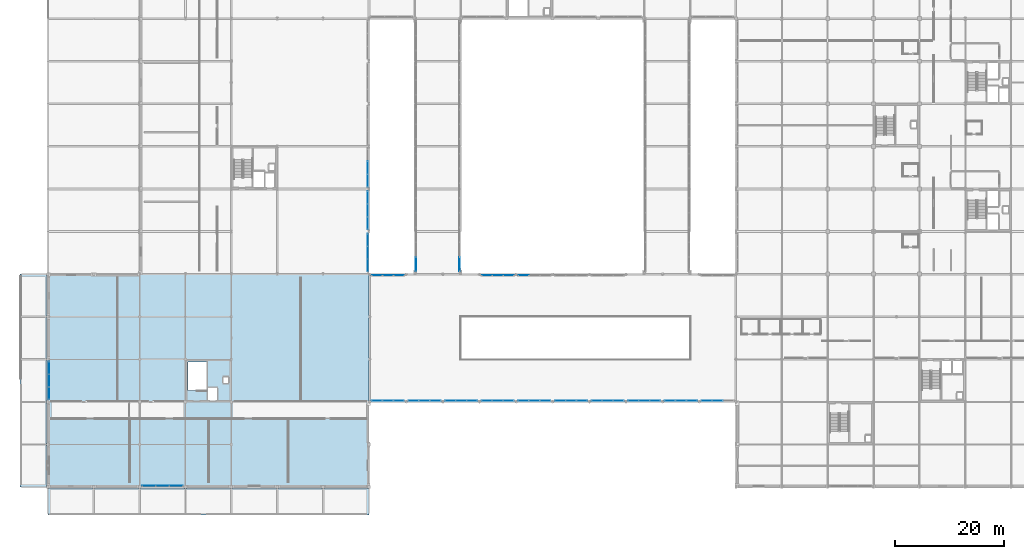
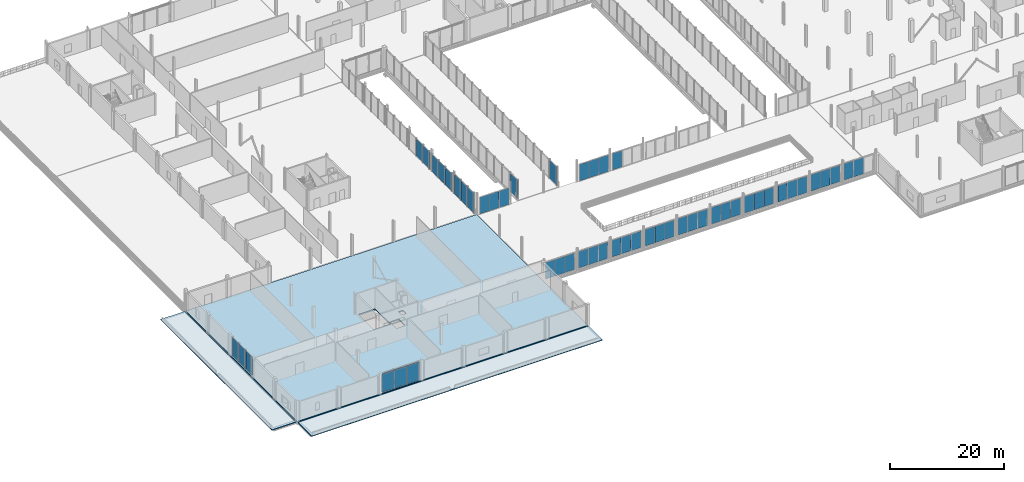
# One storey, part 61 of 98: 52 plates, 3 slabs, 20 elements without a shape of their own.
"""IFC4 building model written with IfcOpenShell, lengths in metres."""

from ifc_helpers import new_model, si_unit, direction, frame, origin, origin_2d, place, context, subcontext, project, spatial, polyline, rectangle, outline, extrude, material, layer, layer_set, type_object, element, aggregate, save


model = new_model("IFC4")

# Units and contexts
model_context = context("Model", 3, precision=1e-05, world=origin(), true_north=direction((0.0, 1.0)))
body_context = subcontext(model_context, "Body", "Model", "MODEL_VIEW")
ifc_project = project(units=[si_unit("LENGTHUNIT", "METRE"), si_unit("AREAUNIT", "SQUARE_METRE"), si_unit("VOLUMEUNIT", "CUBIC_METRE"), si_unit("PLANEANGLEUNIT", "RADIAN"), si_unit("MASSUNIT", "GRAM", prefix="KILO")], contexts=[model_context])

# Site, building, storey
site_placement = place(None, origin())
site = spatial("IfcSite", under=ifc_project, at=site_placement, CompositionType="ELEMENT")
building_placement = place(site_placement, origin())
building = spatial("IfcBuilding", under=site, at=building_placement, Name="Nabrawat Pavilion Hospital", CompositionType="ELEMENT")
storey_placement = place(building_placement, frame((0.0, 0.0, 10.199951171875)))
storey = spatial("IfcBuildingStorey", under=building, at=storey_placement, Name="L02", CompositionType="ELEMENT", Elevation=10.199951171875)

# Slabs
ifc_material_1 = material(Name="Precast concrete C40/50", Category="concrete")
ifc_layer_1 = layer(ifc_material_1, 0.14990234375, Name="Precast concrete C40/50")
ifc_layer_set_1 = layer_set([ifc_layer_1], Name="Precast concrete C40/50")
slab_type_1 = type_object("IfcSlabType", Name="Canopy and Colonnade Soffit Roof Slab 150", PredefinedType="ROOF", material=ifc_layer_set_1)
slab_1_placement = place(storey_placement, frame((0.0, 0.0, -0.14990234375)))
element("IfcSlab", 1, at=slab_1_placement, inside=storey, type_object=slab_type_1, Name="South Colonnade Precast Roof Slab", PredefinedType="ROOF", context=body_context, shape_type="SweptSolid", body=[
    extrude(outline(polyline([(58.780029296875, -5.10009765625), (58.780029296875, -0.25), (0.0, -0.25), (0.0, -5.10009765625), (58.780029296875, -5.10009765625)])), origin(), (0.0, 0.0, 1.0), 0.14990234375),
])
slab_2_placement = place(storey_placement, frame((0.0, 0.0, -0.14990234375)))
element("IfcSlab", 2, at=slab_2_placement, inside=storey, type_object=slab_type_1, Name="West Ambulance Drive-Through Canopy Roof Slab", PredefinedType="ROOF", context=body_context, shape_type="SweptSolid", body=[
    extrude(outline(polyline([(-0.25, 0.0), (-0.25, 38.97998046875), (-5.10009765625, 38.97998046875), (-5.10009765625, 0.0), (-0.25, 0.0)])), origin(), (0.0, 0.0, 1.0), 0.14990234375),
])
ifc_material_2 = material(Name="Concrete C35/45", Category="concrete")
ifc_layer_2 = layer(ifc_material_2, 0.25, Name="Concrete C35/45")
ifc_layer_set_2 = layer_set([ifc_layer_2], Name="Concrete C35/45")
slab_type_2 = type_object("IfcSlabType", Name="Composite Emergency Floor Slab 250", PredefinedType="FLOOR", material=ifc_layer_set_2)
slab_3_placement = place(storey_placement, frame((0.0, 0.0, -0.25)))
element("IfcSlab", 3, at=slab_3_placement, inside=storey, type_object=slab_type_2, Name="L02 Structural Floor Slab P_L02_V2", PredefinedType="FLOOR", context=body_context, shape_type="SweptSolid", body=[
    extrude(outline(polyline([(0.0, 0.0), (58.800048828125, 0.0), (58.800048828125, 39.0), (0.0, 39.0), (0.0, 0.0)]), holes=[polyline([(32.14990234375, 19.050048828125), (32.14990234375, 20.14990234375), (33.050048828125, 20.14990234375), (33.050048828125, 19.050048828125), (32.14990234375, 19.050048828125)]), polyline([(31.06005859375, 18.199951171875), (31.06005859375, 15.89990234375), (29.300048828125, 15.89990234375), (29.300048828125, 18.199951171875), (31.06005859375, 18.199951171875)]), polyline([(29.050048828125, 17.669921875), (25.64990234375, 17.669921875), (25.64990234375, 22.949951171875), (29.050048828125, 22.949951171875), (29.050048828125, 17.669921875)])]), origin(), (0.0, 0.0, 1.0), 0.25),
])

# Curtain wall, plate
ifc_material_3 = material(Name="Anodised Aluminium", Category="aluminium")
curtain_wall_type_1 = type_object("IfcCurtainWallType", Name="Courtyard Link Bridge Glazed Curtain Wall", PredefinedType="USERDEFINED", material=ifc_material_3)
curtain_wall_1_placement = place(storey_placement, origin())
curtain_wall_1 = element("IfcCurtainWall", 4, at=curtain_wall_1_placement, inside=storey, type_object=curtain_wall_type_1, Name="L02 Courtyard Link Bridge Glazed Curtain Wall 117", ObjectType="CURTAIN WALL", PredefinedType="USERDEFINED")
ifc_material_4 = material(Name="Double-Glazed Low-E Glass", Category="glass")
ifc_layer_3 = layer(ifc_material_4, 0.031982421875, Name="Double-Glazed Low-E Glass")
ifc_layer_set_3 = layer_set([ifc_layer_3], Name="Double-Glazed Low-E Glass")
plate_type_1 = type_object("IfcPlateType", Name="Courtyard Link Bridge Glazed Curtain Wall Low-E Solar Panel 32", PredefinedType="CURTAIN_PANEL", material=ifc_layer_set_3)
plate_1_placement = place(storey_placement, frame((67.419921875, 40.80810546875, 0.070068359375), z_axis=(0.0, 0.0, 1.0), x_axis=(0.0, 1.0, 0.0)))
plate_1 = element("IfcPlate", 5, at=plate_1_placement, type_object=plate_type_1, Name="CW-BRG-01 panel 1.1", PredefinedType="CURTAIN_PANEL", context=body_context, shape_type="SweptSolid", body=[
    extrude(rectangle(XDim=2.59619140625, YDim=0.031982421875, at=origin_2d()), origin(), (0.0, 0.0, 1.0), 3.89990234375),
])
aggregate(curtain_wall_1, [plate_1])

curtain_wall_2_placement = place(storey_placement, origin())
curtain_wall_2 = element("IfcCurtainWall", 6, at=curtain_wall_2_placement, inside=storey, type_object=curtain_wall_type_1, Name="L02 Courtyard Link Bridge Glazed Curtain Wall 118", ObjectType="CURTAIN WALL", PredefinedType="USERDEFINED")
plate_2_placement = place(storey_placement, frame((75.3798828125, 40.80810546875, 0.070068359375), z_axis=(0.0, 0.0, 1.0), x_axis=(0.0, 1.0, 0.0)))
plate_2 = element("IfcPlate", 7, at=plate_2_placement, type_object=plate_type_1, Name="CW-BRG-01 panel 1.1", PredefinedType="CURTAIN_PANEL", context=body_context, shape_type="SweptSolid", body=[
    extrude(rectangle(XDim=2.59619140625, YDim=0.031982421875, at=origin_2d()), origin(), (0.0, 0.0, 1.0), 3.89990234375),
])
aggregate(curtain_wall_2, [plate_2])

# Curtain wall, plates
curtain_wall_type_2 = type_object("IfcCurtainWallType", Name="Emergency Concourse Glazed Screen", PredefinedType="USERDEFINED", material=ifc_material_3)
curtain_wall_3_placement = place(storey_placement, origin())
curtain_wall_3 = element("IfcCurtainWall", 8, at=curtain_wall_3_placement, inside=storey, type_object=curtain_wall_type_2, Name="L02 Emergency Concourse Glazed Screen 095", ObjectType="CURTAIN WALL", PredefinedType="USERDEFINED")
ifc_layer_4 = layer(ifc_material_4, 0.030029296875, Name="Double-Glazed Low-E Glass")
ifc_layer_set_4 = layer_set([ifc_layer_4], Name="Double-Glazed Low-E Glass")
plate_type_2 = type_object("IfcPlateType", Name="Emergency Concourse Glazed Screen Low-E Solar Panel 30", PredefinedType="CURTAIN_PANEL", material=ifc_layer_set_4)
plate_3_placement = place(storey_placement, frame((0.219970703125, 17.197509765625, 0.070068359375), z_axis=(0.0, 0.0, 1.0), x_axis=(0.0, 1.0, 0.0)))
plate_3 = element("IfcPlate", 9, at=plate_3_placement, type_object=plate_type_2, Name="CW-ED-01 panel 1.1", PredefinedType="CURTAIN_PANEL", context=body_context, shape_type="SweptSolid", body=[
    extrude(rectangle(XDim=2.215087890625, YDim=0.030029296875, at=origin_2d()), origin(), (0.0, 0.0, 1.0), 3.89990234375),
])
plate_4_placement = place(storey_placement, frame((0.219970703125, 19.5, 0.070068359375), z_axis=(0.0, 0.0, 1.0), x_axis=(0.0, 1.0, 0.0)))
plate_4 = element("IfcPlate", 10, at=plate_4_placement, type_object=plate_type_2, Name="CW-ED-01 panel 2.1", PredefinedType="CURTAIN_PANEL", context=body_context, shape_type="SweptSolid", body=[
    extrude(rectangle(XDim=2.25, YDim=0.030029296875, at=origin_2d()), origin(), (0.0, 0.0, 1.0), 3.89990234375),
])
plate_5_placement = place(storey_placement, frame((0.219970703125, 21.802490234375, 0.070068359375), z_axis=(0.0, 0.0, 1.0), x_axis=(0.0, 1.0, 0.0)))
plate_5 = element("IfcPlate", 11, at=plate_5_placement, type_object=plate_type_2, Name="CW-ED-01 panel 3.1", PredefinedType="CURTAIN_PANEL", context=body_context, shape_type="SweptSolid", body=[
    extrude(rectangle(XDim=2.215087890625, YDim=0.030029296875, at=origin_2d()), origin(), (0.0, 0.0, 1.0), 3.89990234375),
])
aggregate(curtain_wall_3, [plate_3, plate_4, plate_5])

curtain_wall_4_placement = place(storey_placement, origin())
curtain_wall_4 = element("IfcCurtainWall", 12, at=curtain_wall_4_placement, inside=storey, type_object=curtain_wall_type_2, Name="L02 Emergency Concourse Glazed Screen 096", ObjectType="CURTAIN WALL", PredefinedType="USERDEFINED")
plate_6_placement = place(storey_placement, frame((18.49755859375, 0.219970703125, 0.070068359375), z_axis=(0.0, 0.0, 1.0), x_axis=(1.0, 0.0, 0.0)))
plate_6 = element("IfcPlate", 13, at=plate_6_placement, type_object=plate_type_2, Name="CW-ED-01 panel 1.1", PredefinedType="CURTAIN_PANEL", context=body_context, shape_type="SweptSolid", body=[
    extrude(rectangle(XDim=2.4150390625, YDim=0.030029296875, at=origin_2d()), origin(), (0.0, 0.0, 1.0), 3.89990234375),
])
plate_7_placement = place(storey_placement, frame((21.0, 0.219970703125, 0.070068359375), z_axis=(0.0, 0.0, 1.0), x_axis=(1.0, 0.0, 0.0)))
plate_7 = element("IfcPlate", 14, at=plate_7_placement, type_object=plate_type_2, Name="CW-ED-01 panel 2.1", PredefinedType="CURTAIN_PANEL", context=body_context, shape_type="SweptSolid", body=[
    extrude(rectangle(XDim=2.449951171875, YDim=0.030029296875, at=origin_2d()), origin(), (0.0, 0.0, 1.0), 3.89990234375),
])
plate_8_placement = place(storey_placement, frame((23.50244140625, 0.219970703125, 0.070068359375), z_axis=(0.0, 0.0, 1.0), x_axis=(1.0, 0.0, 0.0)))
plate_8 = element("IfcPlate", 15, at=plate_8_placement, type_object=plate_type_2, Name="CW-ED-01 panel 3.1", PredefinedType="CURTAIN_PANEL", context=body_context, shape_type="SweptSolid", body=[
    extrude(rectangle(XDim=2.4150390625, YDim=0.030029296875, at=origin_2d()), origin(), (0.0, 0.0, 1.0), 3.89990234375),
])
aggregate(curtain_wall_4, [plate_6, plate_7, plate_8])

curtain_wall_type_3 = type_object("IfcCurtainWallType", Name="Healing Garden Cloister Curtain Wall", PredefinedType="USERDEFINED", material=ifc_material_3)
curtain_wall_5_placement = place(storey_placement, origin())
curtain_wall_5 = element("IfcCurtainWall", 16, at=curtain_wall_5_placement, inside=storey, type_object=curtain_wall_type_3, Name="L02 Healing Garden Cloister Curtain Wall 108", ObjectType="CURTAIN WALL", PredefinedType="USERDEFINED")
ifc_layer_5 = layer(ifc_material_4, 0.028076171875, Name="Double-Glazed Low-E Glass")
ifc_layer_set_5 = layer_set([ifc_layer_5], Name="Double-Glazed Low-E Glass")
plate_type_3 = type_object("IfcPlateType", Name="Healing Garden Cloister Curtain Wall Low-E Solar Panel 28", PredefinedType="CURTAIN_PANEL", material=ifc_layer_set_5)
plate_9_placement = place(storey_placement, frame((58.580078125, 40.6220703125, 0.06494140625), z_axis=(0.0, 0.0, 1.0), x_axis=(0.0, 1.0, 0.0)))
plate_9 = element("IfcPlate", 17, at=plate_9_placement, type_object=plate_type_3, Name="CW-CLN-01 panel 1.1", PredefinedType="CURTAIN_PANEL", context=body_context, shape_type="SweptSolid", body=[
    extrude(rectangle(XDim=2.234130859375, YDim=0.028076171875, at=origin_2d()), origin(), (0.0, 0.0, 1.0), 4.22998046875),
])
plate_10_placement = place(storey_placement, frame((58.580078125, 42.9375, 0.06494140625), z_axis=(0.0, 0.0, 1.0), x_axis=(0.0, 1.0, 0.0)))
plate_10 = element("IfcPlate", 18, at=plate_10_placement, type_object=plate_type_3, Name="CW-CLN-01 panel 2.1", PredefinedType="CURTAIN_PANEL", context=body_context, shape_type="SweptSolid", body=[
    extrude(rectangle(XDim=2.2666015625, YDim=0.028076171875, at=origin_2d()), origin(), (0.0, 0.0, 1.0), 4.22998046875),
])
plate_11_placement = place(storey_placement, frame((58.580078125, 45.2529296875, 0.06494140625), z_axis=(0.0, 0.0, 1.0), x_axis=(0.0, 1.0, 0.0)))
plate_11 = element("IfcPlate", 19, at=plate_11_placement, type_object=plate_type_3, Name="CW-CLN-01 panel 3.1", PredefinedType="CURTAIN_PANEL", context=body_context, shape_type="SweptSolid", body=[
    extrude(rectangle(XDim=2.234130859375, YDim=0.028076171875, at=origin_2d()), origin(), (0.0, 0.0, 1.0), 4.22998046875),
])
aggregate(curtain_wall_5, [plate_9, plate_10, plate_11])

curtain_wall_6_placement = place(storey_placement, origin())
curtain_wall_6 = element("IfcCurtainWall", 20, at=curtain_wall_6_placement, inside=storey, type_object=curtain_wall_type_3, Name="L02 Healing Garden Cloister Curtain Wall 109", ObjectType="CURTAIN WALL", PredefinedType="USERDEFINED")
plate_12_placement = place(storey_placement, frame((58.580078125, 48.359619140625, 0.065185546875), z_axis=(0.0, 0.0, 1.0), x_axis=(0.0, 1.0, 0.0)))
plate_12 = element("IfcPlate", 21, at=plate_12_placement, type_object=plate_type_3, Name="CW-CLN-01 panel 1.1", PredefinedType="CURTAIN_PANEL", context=body_context, shape_type="SweptSolid", body=[
    extrude(rectangle(XDim=2.25927734375, YDim=0.028076171875, at=origin_2d()), origin(), (0.0, 0.0, 1.0), 3.68994140625),
])
plate_13_placement = place(storey_placement, frame((58.580078125, 50.699951171875, 0.065185546875), z_axis=(0.0, 0.0, 1.0), x_axis=(0.0, 1.0, 0.0)))
plate_13 = element("IfcPlate", 22, at=plate_13_placement, type_object=plate_type_3, Name="CW-CLN-01 panel 2.1", PredefinedType="CURTAIN_PANEL", context=body_context, shape_type="SweptSolid", body=[
    extrude(rectangle(XDim=2.291748046875, YDim=0.028076171875, at=origin_2d()), origin(), (0.0, 0.0, 1.0), 3.68994140625),
])
plate_14_placement = place(storey_placement, frame((58.580078125, 53.04052734375, 0.065185546875), z_axis=(0.0, 0.0, 1.0), x_axis=(0.0, 1.0, 0.0)))
plate_14 = element("IfcPlate", 23, at=plate_14_placement, type_object=plate_type_3, Name="CW-CLN-01 panel 3.1", PredefinedType="CURTAIN_PANEL", context=body_context, shape_type="SweptSolid", body=[
    extrude(rectangle(XDim=2.25927734375, YDim=0.028076171875, at=origin_2d()), origin(), (0.0, 0.0, 1.0), 3.68994140625),
])
aggregate(curtain_wall_6, [plate_12, plate_13, plate_14])

curtain_wall_7_placement = place(storey_placement, origin())
curtain_wall_7 = element("IfcCurtainWall", 24, at=curtain_wall_7_placement, inside=storey, type_object=curtain_wall_type_3, Name="L02 Healing Garden Cloister Curtain Wall 110", ObjectType="CURTAIN WALL", PredefinedType="USERDEFINED")
plate_15_placement = place(storey_placement, frame((58.580078125, 56.15966796875, 0.065185546875), z_axis=(0.0, 0.0, 1.0), x_axis=(0.0, 1.0, 0.0)))
plate_15 = element("IfcPlate", 25, at=plate_15_placement, type_object=plate_type_3, Name="CW-CLN-01 panel 1.1", PredefinedType="CURTAIN_PANEL", context=body_context, shape_type="SweptSolid", body=[
    extrude(rectangle(XDim=2.25927734375, YDim=0.028076171875, at=origin_2d()), origin(), (0.0, 0.0, 1.0), 3.68994140625),
])
plate_16_placement = place(storey_placement, frame((58.580078125, 58.5, 0.065185546875), z_axis=(0.0, 0.0, 1.0), x_axis=(0.0, 1.0, 0.0)))
plate_16 = element("IfcPlate", 26, at=plate_16_placement, type_object=plate_type_3, Name="CW-CLN-01 panel 2.1", PredefinedType="CURTAIN_PANEL", context=body_context, shape_type="SweptSolid", body=[
    extrude(rectangle(XDim=2.291748046875, YDim=0.028076171875, at=origin_2d()), origin(), (0.0, 0.0, 1.0), 3.68994140625),
])
aggregate(curtain_wall_7, [plate_15, plate_16])

curtain_wall_type_4 = type_object("IfcCurtainWallType", Name="Main Hall Pavilion Unitised Curtain Wall", PredefinedType="USERDEFINED", material=ifc_material_3)
curtain_wall_8_placement = place(storey_placement, origin())
curtain_wall_8 = element("IfcCurtainWall", 27, at=curtain_wall_8_placement, inside=storey, type_object=curtain_wall_type_4, Name="L02 Main Hall Pavilion Unitised Curtain Wall 098", ObjectType="CURTAIN WALL", PredefinedType="USERDEFINED")
ifc_layer_6 = layer(ifc_material_4, 0.035888671875, Name="Double-Glazed Low-E Glass")
ifc_layer_set_6 = layer_set([ifc_layer_6], Name="Double-Glazed Low-E Glass")
plate_type_4 = type_object("IfcPlateType", Name="Main Hall Pavilion Unitised Curtain Wall Low-E Solar Panel 36", PredefinedType="CURTAIN_PANEL", material=ifc_layer_set_6)
plate_17_placement = place(storey_placement, frame((60.28564453125, 15.820068359375, 0.0751953125), z_axis=(0.0, 0.0, 1.0), x_axis=(1.0, 0.0, 0.0)))
plate_17 = element("IfcPlate", 28, at=plate_17_placement, type_object=plate_type_4, Name="CW-MH-01 panel 1.1", PredefinedType="CURTAIN_PANEL", context=body_context, shape_type="SweptSolid", body=[
    extrude(rectangle(XDim=1.894775390625, YDim=0.035888671875, at=origin_2d()), origin(), (0.0, 0.0, 1.0), 3.530029296875),
])
plate_18_placement = place(storey_placement, frame((62.27392578125, 15.820068359375, 0.0751953125), z_axis=(0.0, 0.0, 1.0), x_axis=(1.0, 0.0, 0.0)))
plate_18 = element("IfcPlate", 29, at=plate_18_placement, type_object=plate_type_4, Name="CW-MH-01 panel 2.1", PredefinedType="CURTAIN_PANEL", context=body_context, shape_type="SweptSolid", body=[
    extrude(rectangle(XDim=1.93212890625, YDim=0.035888671875, at=origin_2d()), origin(), (0.0, 0.0, 1.0), 3.530029296875),
])
plate_19_placement = place(storey_placement, frame((64.262451171875, 15.820068359375, 0.0751953125), z_axis=(0.0, 0.0, 1.0), x_axis=(1.0, 0.0, 0.0)))
plate_19 = element("IfcPlate", 30, at=plate_19_placement, type_object=plate_type_4, Name="CW-MH-01 panel 3.1", PredefinedType="CURTAIN_PANEL", context=body_context, shape_type="SweptSolid", body=[
    extrude(rectangle(XDim=1.894775390625, YDim=0.035888671875, at=origin_2d()), origin(), (0.0, 0.0, 1.0), 3.530029296875),
])
aggregate(curtain_wall_8, [plate_17, plate_18, plate_19])

curtain_wall_9_placement = place(storey_placement, origin())
curtain_wall_9 = element("IfcCurtainWall", 31, at=curtain_wall_9_placement, inside=storey, type_object=curtain_wall_type_4, Name="L02 Main Hall Pavilion Unitised Curtain Wall 099", ObjectType="CURTAIN WALL", PredefinedType="USERDEFINED")
plate_20_placement = place(storey_placement, frame((66.99365234375, 15.820068359375, 0.0751953125), z_axis=(0.0, 0.0, 1.0), x_axis=(1.0, 0.0, 0.0)))
plate_20 = element("IfcPlate", 32, at=plate_20_placement, type_object=plate_type_4, Name="CW-MH-01 panel 1.1", PredefinedType="CURTAIN_PANEL", context=body_context, shape_type="SweptSolid", body=[
    extrude(rectangle(XDim=1.894775390625, YDim=0.035888671875, at=origin_2d()), origin(), (0.0, 0.0, 1.0), 3.530029296875),
])
plate_21_placement = place(storey_placement, frame((68.98193359375, 15.820068359375, 0.0751953125), z_axis=(0.0, 0.0, 1.0), x_axis=(1.0, 0.0, 0.0)))
plate_21 = element("IfcPlate", 33, at=plate_21_placement, type_object=plate_type_4, Name="CW-MH-01 panel 2.1", PredefinedType="CURTAIN_PANEL", context=body_context, shape_type="SweptSolid", body=[
    extrude(rectangle(XDim=1.93212890625, YDim=0.035888671875, at=origin_2d()), origin(), (0.0, 0.0, 1.0), 3.530029296875),
])
plate_22_placement = place(storey_placement, frame((70.970458984375, 15.820068359375, 0.0751953125), z_axis=(0.0, 0.0, 1.0), x_axis=(1.0, 0.0, 0.0)))
plate_22 = element("IfcPlate", 34, at=plate_22_placement, type_object=plate_type_4, Name="CW-MH-01 panel 3.1", PredefinedType="CURTAIN_PANEL", context=body_context, shape_type="SweptSolid", body=[
    extrude(rectangle(XDim=1.894775390625, YDim=0.035888671875, at=origin_2d()), origin(), (0.0, 0.0, 1.0), 3.530029296875),
])
aggregate(curtain_wall_9, [plate_20, plate_21, plate_22])

curtain_wall_10_placement = place(storey_placement, origin())
curtain_wall_10 = element("IfcCurtainWall", 35, at=curtain_wall_10_placement, inside=storey, type_object=curtain_wall_type_4, Name="L02 Main Hall Pavilion Unitised Curtain Wall 100", ObjectType="CURTAIN WALL", PredefinedType="USERDEFINED")
plate_23_placement = place(storey_placement, frame((73.70166015625, 15.820068359375, 0.0751953125), z_axis=(0.0, 0.0, 1.0), x_axis=(1.0, 0.0, 0.0)))
plate_23 = element("IfcPlate", 36, at=plate_23_placement, type_object=plate_type_4, Name="CW-MH-01 panel 1.1", PredefinedType="CURTAIN_PANEL", context=body_context, shape_type="SweptSolid", body=[
    extrude(rectangle(XDim=1.894775390625, YDim=0.035888671875, at=origin_2d()), origin(), (0.0, 0.0, 1.0), 3.530029296875),
])
plate_24_placement = place(storey_placement, frame((75.68994140625, 15.820068359375, 0.0751953125), z_axis=(0.0, 0.0, 1.0), x_axis=(1.0, 0.0, 0.0)))
plate_24 = element("IfcPlate", 37, at=plate_24_placement, type_object=plate_type_4, Name="CW-MH-01 panel 2.1", PredefinedType="CURTAIN_PANEL", context=body_context, shape_type="SweptSolid", body=[
    extrude(rectangle(XDim=1.93212890625, YDim=0.035888671875, at=origin_2d()), origin(), (0.0, 0.0, 1.0), 3.530029296875),
])
plate_25_placement = place(storey_placement, frame((77.678466796875, 15.820068359375, 0.0751953125), z_axis=(0.0, 0.0, 1.0), x_axis=(1.0, 0.0, 0.0)))
plate_25 = element("IfcPlate", 38, at=plate_25_placement, type_object=plate_type_4, Name="CW-MH-01 panel 3.1", PredefinedType="CURTAIN_PANEL", context=body_context, shape_type="SweptSolid", body=[
    extrude(rectangle(XDim=1.894775390625, YDim=0.035888671875, at=origin_2d()), origin(), (0.0, 0.0, 1.0), 3.530029296875),
])
aggregate(curtain_wall_10, [plate_23, plate_24, plate_25])

curtain_wall_11_placement = place(storey_placement, origin())
curtain_wall_11 = element("IfcCurtainWall", 39, at=curtain_wall_11_placement, inside=storey, type_object=curtain_wall_type_4, Name="L02 Main Hall Pavilion Unitised Curtain Wall 101", ObjectType="CURTAIN WALL", PredefinedType="USERDEFINED")
plate_26_placement = place(storey_placement, frame((80.40966796875, 15.820068359375, 0.0751953125), z_axis=(0.0, 0.0, 1.0), x_axis=(1.0, 0.0, 0.0)))
plate_26 = element("IfcPlate", 40, at=plate_26_placement, type_object=plate_type_4, Name="CW-MH-01 panel 1.1", PredefinedType="CURTAIN_PANEL", context=body_context, shape_type="SweptSolid", body=[
    extrude(rectangle(XDim=1.894775390625, YDim=0.035888671875, at=origin_2d()), origin(), (0.0, 0.0, 1.0), 3.530029296875),
])
plate_27_placement = place(storey_placement, frame((82.39794921875, 15.820068359375, 0.0751953125), z_axis=(0.0, 0.0, 1.0), x_axis=(1.0, 0.0, 0.0)))
plate_27 = element("IfcPlate", 41, at=plate_27_placement, type_object=plate_type_4, Name="CW-MH-01 panel 2.1", PredefinedType="CURTAIN_PANEL", context=body_context, shape_type="SweptSolid", body=[
    extrude(rectangle(XDim=1.93212890625, YDim=0.035888671875, at=origin_2d()), origin(), (0.0, 0.0, 1.0), 3.530029296875),
])
plate_28_placement = place(storey_placement, frame((84.386474609375, 15.820068359375, 0.0751953125), z_axis=(0.0, 0.0, 1.0), x_axis=(1.0, 0.0, 0.0)))
plate_28 = element("IfcPlate", 42, at=plate_28_placement, type_object=plate_type_4, Name="CW-MH-01 panel 3.1", PredefinedType="CURTAIN_PANEL", context=body_context, shape_type="SweptSolid", body=[
    extrude(rectangle(XDim=1.894775390625, YDim=0.035888671875, at=origin_2d()), origin(), (0.0, 0.0, 1.0), 3.530029296875),
])
aggregate(curtain_wall_11, [plate_26, plate_27, plate_28])

curtain_wall_12_placement = place(storey_placement, origin())
curtain_wall_12 = element("IfcCurtainWall", 43, at=curtain_wall_12_placement, inside=storey, type_object=curtain_wall_type_4, Name="L02 Main Hall Pavilion Unitised Curtain Wall 102", ObjectType="CURTAIN WALL", PredefinedType="USERDEFINED")
plate_29_placement = place(storey_placement, frame((87.117431640625, 15.820068359375, 0.0751953125), z_axis=(0.0, 0.0, 1.0), x_axis=(1.0, 0.0, 0.0)))
plate_29 = element("IfcPlate", 44, at=plate_29_placement, type_object=plate_type_4, Name="CW-MH-01 panel 1.1", PredefinedType="CURTAIN_PANEL", context=body_context, shape_type="SweptSolid", body=[
    extrude(rectangle(XDim=1.894775390625, YDim=0.035888671875, at=origin_2d()), origin(), (0.0, 0.0, 1.0), 3.530029296875),
])
plate_30_placement = place(storey_placement, frame((89.10595703125, 15.820068359375, 0.0751953125), z_axis=(0.0, 0.0, 1.0), x_axis=(1.0, 0.0, 0.0)))
plate_30 = element("IfcPlate", 45, at=plate_30_placement, type_object=plate_type_4, Name="CW-MH-01 panel 2.1", PredefinedType="CURTAIN_PANEL", context=body_context, shape_type="SweptSolid", body=[
    extrude(rectangle(XDim=1.93212890625, YDim=0.035888671875, at=origin_2d()), origin(), (0.0, 0.0, 1.0), 3.530029296875),
])
plate_31_placement = place(storey_placement, frame((91.094482421875, 15.820068359375, 0.0751953125), z_axis=(0.0, 0.0, 1.0), x_axis=(1.0, 0.0, 0.0)))
plate_31 = element("IfcPlate", 46, at=plate_31_placement, type_object=plate_type_4, Name="CW-MH-01 panel 3.1", PredefinedType="CURTAIN_PANEL", context=body_context, shape_type="SweptSolid", body=[
    extrude(rectangle(XDim=1.894775390625, YDim=0.035888671875, at=origin_2d()), origin(), (0.0, 0.0, 1.0), 3.530029296875),
])
aggregate(curtain_wall_12, [plate_29, plate_30, plate_31])

curtain_wall_13_placement = place(storey_placement, origin())
curtain_wall_13 = element("IfcCurtainWall", 47, at=curtain_wall_13_placement, inside=storey, type_object=curtain_wall_type_4, Name="L02 Main Hall Pavilion Unitised Curtain Wall 103", ObjectType="CURTAIN WALL", PredefinedType="USERDEFINED")
plate_32_placement = place(storey_placement, frame((93.825439453125, 15.820068359375, 0.0751953125), z_axis=(0.0, 0.0, 1.0), x_axis=(1.0, 0.0, 0.0)))
plate_32 = element("IfcPlate", 48, at=plate_32_placement, type_object=plate_type_4, Name="CW-MH-01 panel 1.1", PredefinedType="CURTAIN_PANEL", context=body_context, shape_type="SweptSolid", body=[
    extrude(rectangle(XDim=1.894775390625, YDim=0.035888671875, at=origin_2d()), origin(), (0.0, 0.0, 1.0), 3.530029296875),
])
plate_33_placement = place(storey_placement, frame((95.81396484375, 15.820068359375, 0.0751953125), z_axis=(0.0, 0.0, 1.0), x_axis=(1.0, 0.0, 0.0)))
plate_33 = element("IfcPlate", 49, at=plate_33_placement, type_object=plate_type_4, Name="CW-MH-01 panel 2.1", PredefinedType="CURTAIN_PANEL", context=body_context, shape_type="SweptSolid", body=[
    extrude(rectangle(XDim=1.93212890625, YDim=0.035888671875, at=origin_2d()), origin(), (0.0, 0.0, 1.0), 3.530029296875),
])
plate_34_placement = place(storey_placement, frame((97.802490234375, 15.820068359375, 0.0751953125), z_axis=(0.0, 0.0, 1.0), x_axis=(1.0, 0.0, 0.0)))
plate_34 = element("IfcPlate", 50, at=plate_34_placement, type_object=plate_type_4, Name="CW-MH-01 panel 3.1", PredefinedType="CURTAIN_PANEL", context=body_context, shape_type="SweptSolid", body=[
    extrude(rectangle(XDim=1.894775390625, YDim=0.035888671875, at=origin_2d()), origin(), (0.0, 0.0, 1.0), 3.530029296875),
])
aggregate(curtain_wall_13, [plate_32, plate_33, plate_34])

curtain_wall_14_placement = place(storey_placement, origin())
curtain_wall_14 = element("IfcCurtainWall", 51, at=curtain_wall_14_placement, inside=storey, type_object=curtain_wall_type_4, Name="L02 Main Hall Pavilion Unitised Curtain Wall 104", ObjectType="CURTAIN WALL", PredefinedType="USERDEFINED")
plate_35_placement = place(storey_placement, frame((100.533447265625, 15.820068359375, 0.0751953125), z_axis=(0.0, 0.0, 1.0), x_axis=(1.0, 0.0, 0.0)))
plate_35 = element("IfcPlate", 52, at=plate_35_placement, type_object=plate_type_4, Name="CW-MH-01 panel 1.1", PredefinedType="CURTAIN_PANEL", context=body_context, shape_type="SweptSolid", body=[
    extrude(rectangle(XDim=1.894775390625, YDim=0.035888671875, at=origin_2d()), origin(), (0.0, 0.0, 1.0), 3.530029296875),
])
plate_36_placement = place(storey_placement, frame((102.52197265625, 15.820068359375, 0.0751953125), z_axis=(0.0, 0.0, 1.0), x_axis=(1.0, 0.0, 0.0)))
plate_36 = element("IfcPlate", 53, at=plate_36_placement, type_object=plate_type_4, Name="CW-MH-01 panel 2.1", PredefinedType="CURTAIN_PANEL", context=body_context, shape_type="SweptSolid", body=[
    extrude(rectangle(XDim=1.93212890625, YDim=0.035888671875, at=origin_2d()), origin(), (0.0, 0.0, 1.0), 3.530029296875),
])
plate_37_placement = place(storey_placement, frame((104.510498046875, 15.820068359375, 0.0751953125), z_axis=(0.0, 0.0, 1.0), x_axis=(1.0, 0.0, 0.0)))
plate_37 = element("IfcPlate", 54, at=plate_37_placement, type_object=plate_type_4, Name="CW-MH-01 panel 3.1", PredefinedType="CURTAIN_PANEL", context=body_context, shape_type="SweptSolid", body=[
    extrude(rectangle(XDim=1.894775390625, YDim=0.035888671875, at=origin_2d()), origin(), (0.0, 0.0, 1.0), 3.530029296875),
])
aggregate(curtain_wall_14, [plate_35, plate_36, plate_37])

curtain_wall_15_placement = place(storey_placement, origin())
curtain_wall_15 = element("IfcCurtainWall", 55, at=curtain_wall_15_placement, inside=storey, type_object=curtain_wall_type_4, Name="L02 Main Hall Pavilion Unitised Curtain Wall 105", ObjectType="CURTAIN WALL", PredefinedType="USERDEFINED")
plate_38_placement = place(storey_placement, frame((107.241455078125, 15.820068359375, 0.0751953125), z_axis=(0.0, 0.0, 1.0), x_axis=(1.0, 0.0, 0.0)))
plate_38 = element("IfcPlate", 56, at=plate_38_placement, type_object=plate_type_4, Name="CW-MH-01 panel 1.1", PredefinedType="CURTAIN_PANEL", context=body_context, shape_type="SweptSolid", body=[
    extrude(rectangle(XDim=1.894775390625, YDim=0.035888671875, at=origin_2d()), origin(), (0.0, 0.0, 1.0), 3.530029296875),
])
plate_39_placement = place(storey_placement, frame((109.22998046875, 15.820068359375, 0.0751953125), z_axis=(0.0, 0.0, 1.0), x_axis=(1.0, 0.0, 0.0)))
plate_39 = element("IfcPlate", 57, at=plate_39_placement, type_object=plate_type_4, Name="CW-MH-01 panel 2.1", PredefinedType="CURTAIN_PANEL", context=body_context, shape_type="SweptSolid", body=[
    extrude(rectangle(XDim=1.93212890625, YDim=0.035888671875, at=origin_2d()), origin(), (0.0, 0.0, 1.0), 3.530029296875),
])
plate_40_placement = place(storey_placement, frame((111.218505859375, 15.820068359375, 0.0751953125), z_axis=(0.0, 0.0, 1.0), x_axis=(1.0, 0.0, 0.0)))
plate_40 = element("IfcPlate", 58, at=plate_40_placement, type_object=plate_type_4, Name="CW-MH-01 panel 3.1", PredefinedType="CURTAIN_PANEL", context=body_context, shape_type="SweptSolid", body=[
    extrude(rectangle(XDim=1.894775390625, YDim=0.035888671875, at=origin_2d()), origin(), (0.0, 0.0, 1.0), 3.530029296875),
])
aggregate(curtain_wall_15, [plate_38, plate_39, plate_40])

curtain_wall_16_placement = place(storey_placement, origin())
curtain_wall_16 = element("IfcCurtainWall", 59, at=curtain_wall_16_placement, inside=storey, type_object=curtain_wall_type_4, Name="L02 Main Hall Pavilion Unitised Curtain Wall 106", ObjectType="CURTAIN WALL", PredefinedType="USERDEFINED")
plate_41_placement = place(storey_placement, frame((113.949462890625, 15.820068359375, 0.0751953125), z_axis=(0.0, 0.0, 1.0), x_axis=(1.0, 0.0, 0.0)))
plate_41 = element("IfcPlate", 60, at=plate_41_placement, type_object=plate_type_4, Name="CW-MH-01 panel 1.1", PredefinedType="CURTAIN_PANEL", context=body_context, shape_type="SweptSolid", body=[
    extrude(rectangle(XDim=1.894775390625, YDim=0.035888671875, at=origin_2d()), origin(), (0.0, 0.0, 1.0), 3.530029296875),
])
plate_42_placement = place(storey_placement, frame((115.93798828125, 15.820068359375, 0.0751953125), z_axis=(0.0, 0.0, 1.0), x_axis=(1.0, 0.0, 0.0)))
plate_42 = element("IfcPlate", 61, at=plate_42_placement, type_object=plate_type_4, Name="CW-MH-01 panel 2.1", PredefinedType="CURTAIN_PANEL", context=body_context, shape_type="SweptSolid", body=[
    extrude(rectangle(XDim=1.93212890625, YDim=0.035888671875, at=origin_2d()), origin(), (0.0, 0.0, 1.0), 3.530029296875),
])
plate_43_placement = place(storey_placement, frame((117.926513671875, 15.820068359375, 0.0751953125), z_axis=(0.0, 0.0, 1.0), x_axis=(1.0, 0.0, 0.0)))
plate_43 = element("IfcPlate", 62, at=plate_43_placement, type_object=plate_type_4, Name="CW-MH-01 panel 3.1", PredefinedType="CURTAIN_PANEL", context=body_context, shape_type="SweptSolid", body=[
    extrude(rectangle(XDim=1.894775390625, YDim=0.035888671875, at=origin_2d()), origin(), (0.0, 0.0, 1.0), 3.530029296875),
])
aggregate(curtain_wall_16, [plate_41, plate_42, plate_43])

curtain_wall_17_placement = place(storey_placement, origin())
curtain_wall_17 = element("IfcCurtainWall", 63, at=curtain_wall_17_placement, inside=storey, type_object=curtain_wall_type_4, Name="L02 Main Hall Pavilion Unitised Curtain Wall 107", ObjectType="CURTAIN WALL", PredefinedType="USERDEFINED")
plate_44_placement = place(storey_placement, frame((120.657470703125, 15.820068359375, 0.0751953125), z_axis=(0.0, 0.0, 1.0), x_axis=(1.0, 0.0, 0.0)))
plate_44 = element("IfcPlate", 64, at=plate_44_placement, type_object=plate_type_4, Name="CW-MH-01 panel 1.1", PredefinedType="CURTAIN_PANEL", context=body_context, shape_type="SweptSolid", body=[
    extrude(rectangle(XDim=1.894775390625, YDim=0.035888671875, at=origin_2d()), origin(), (0.0, 0.0, 1.0), 3.530029296875),
])
plate_45_placement = place(storey_placement, frame((122.64599609375, 15.820068359375, 0.0751953125), z_axis=(0.0, 0.0, 1.0), x_axis=(1.0, 0.0, 0.0)))
plate_45 = element("IfcPlate", 65, at=plate_45_placement, type_object=plate_type_4, Name="CW-MH-01 panel 2.1", PredefinedType="CURTAIN_PANEL", context=body_context, shape_type="SweptSolid", body=[
    extrude(rectangle(XDim=1.93212890625, YDim=0.035888671875, at=origin_2d()), origin(), (0.0, 0.0, 1.0), 3.530029296875),
])
aggregate(curtain_wall_17, [plate_44, plate_45])

curtain_wall_18_placement = place(storey_placement, origin())
curtain_wall_18 = element("IfcCurtainWall", 66, at=curtain_wall_18_placement, inside=storey, type_object=curtain_wall_type_4, Name="L02 Main Hall Pavilion Unitised Curtain Wall 114", ObjectType="CURTAIN WALL", PredefinedType="USERDEFINED")
plate_46_placement = place(storey_placement, frame((60.28564453125, 38.780029296875, 0.0751953125), z_axis=(0.0, 0.0, 1.0), x_axis=(1.0, 0.0, 0.0)))
plate_46 = element("IfcPlate", 67, at=plate_46_placement, type_object=plate_type_4, Name="CW-MH-01 panel 1.1", PredefinedType="CURTAIN_PANEL", context=body_context, shape_type="SweptSolid", body=[
    extrude(rectangle(XDim=1.894775390625, YDim=0.035888671875, at=origin_2d()), origin(), (0.0, 0.0, 1.0), 3.530029296875),
])
plate_47_placement = place(storey_placement, frame((62.27392578125, 38.780029296875, 0.0751953125), z_axis=(0.0, 0.0, 1.0), x_axis=(1.0, 0.0, 0.0)))
plate_47 = element("IfcPlate", 68, at=plate_47_placement, type_object=plate_type_4, Name="CW-MH-01 panel 2.1", PredefinedType="CURTAIN_PANEL", context=body_context, shape_type="SweptSolid", body=[
    extrude(rectangle(XDim=1.93212890625, YDim=0.035888671875, at=origin_2d()), origin(), (0.0, 0.0, 1.0), 3.530029296875),
])
plate_48_placement = place(storey_placement, frame((64.262451171875, 38.780029296875, 0.0751953125), z_axis=(0.0, 0.0, 1.0), x_axis=(1.0, 0.0, 0.0)))
plate_48 = element("IfcPlate", 69, at=plate_48_placement, type_object=plate_type_4, Name="CW-MH-01 panel 3.1", PredefinedType="CURTAIN_PANEL", context=body_context, shape_type="SweptSolid", body=[
    extrude(rectangle(XDim=1.894775390625, YDim=0.035888671875, at=origin_2d()), origin(), (0.0, 0.0, 1.0), 3.530029296875),
])
aggregate(curtain_wall_18, [plate_46, plate_47, plate_48])

curtain_wall_19_placement = place(storey_placement, origin())
curtain_wall_19 = element("IfcCurtainWall", 70, at=curtain_wall_19_placement, inside=storey, type_object=curtain_wall_type_4, Name="L02 Main Hall Pavilion Unitised Curtain Wall 119", ObjectType="CURTAIN WALL", PredefinedType="USERDEFINED")
plate_49_placement = place(storey_placement, frame((80.40966796875, 38.780029296875, 0.0751953125), z_axis=(0.0, 0.0, 1.0), x_axis=(1.0, 0.0, 0.0)))
plate_49 = element("IfcPlate", 71, at=plate_49_placement, type_object=plate_type_4, Name="CW-MH-01 panel 1.1", PredefinedType="CURTAIN_PANEL", context=body_context, shape_type="SweptSolid", body=[
    extrude(rectangle(XDim=1.894775390625, YDim=0.035888671875, at=origin_2d()), origin(), (0.0, 0.0, 1.0), 3.530029296875),
])
plate_50_placement = place(storey_placement, frame((82.39794921875, 38.780029296875, 0.0751953125), z_axis=(0.0, 0.0, 1.0), x_axis=(1.0, 0.0, 0.0)))
plate_50 = element("IfcPlate", 72, at=plate_50_placement, type_object=plate_type_4, Name="CW-MH-01 panel 2.1", PredefinedType="CURTAIN_PANEL", context=body_context, shape_type="SweptSolid", body=[
    extrude(rectangle(XDim=1.93212890625, YDim=0.035888671875, at=origin_2d()), origin(), (0.0, 0.0, 1.0), 3.530029296875),
])
plate_51_placement = place(storey_placement, frame((84.386474609375, 38.780029296875, 0.0751953125), z_axis=(0.0, 0.0, 1.0), x_axis=(1.0, 0.0, 0.0)))
plate_51 = element("IfcPlate", 73, at=plate_51_placement, type_object=plate_type_4, Name="CW-MH-01 panel 3.1", PredefinedType="CURTAIN_PANEL", context=body_context, shape_type="SweptSolid", body=[
    extrude(rectangle(XDim=1.894775390625, YDim=0.035888671875, at=origin_2d()), origin(), (0.0, 0.0, 1.0), 3.530029296875),
])
aggregate(curtain_wall_19, [plate_49, plate_50, plate_51])

# Curtain wall, plate
curtain_wall_20_placement = place(storey_placement, origin())
curtain_wall_20 = element("IfcCurtainWall", 74, at=curtain_wall_20_placement, inside=storey, type_object=curtain_wall_type_4, Name="L02 Main Hall Pavilion Unitised Curtain Wall 120", ObjectType="CURTAIN WALL", PredefinedType="USERDEFINED")
plate_52_placement = place(storey_placement, frame((87.117431640625, 38.780029296875, 0.0751953125), z_axis=(0.0, 0.0, 1.0), x_axis=(1.0, 0.0, 0.0)))
plate_52 = element("IfcPlate", 75, at=plate_52_placement, type_object=plate_type_4, Name="CW-MH-01 panel 1.1", PredefinedType="CURTAIN_PANEL", context=body_context, shape_type="SweptSolid", body=[
    extrude(rectangle(XDim=1.894775390625, YDim=0.035888671875, at=origin_2d()), origin(), (0.0, 0.0, 1.0), 3.530029296875),
])
aggregate(curtain_wall_20, [plate_52])

save(model, "model.ifc")
